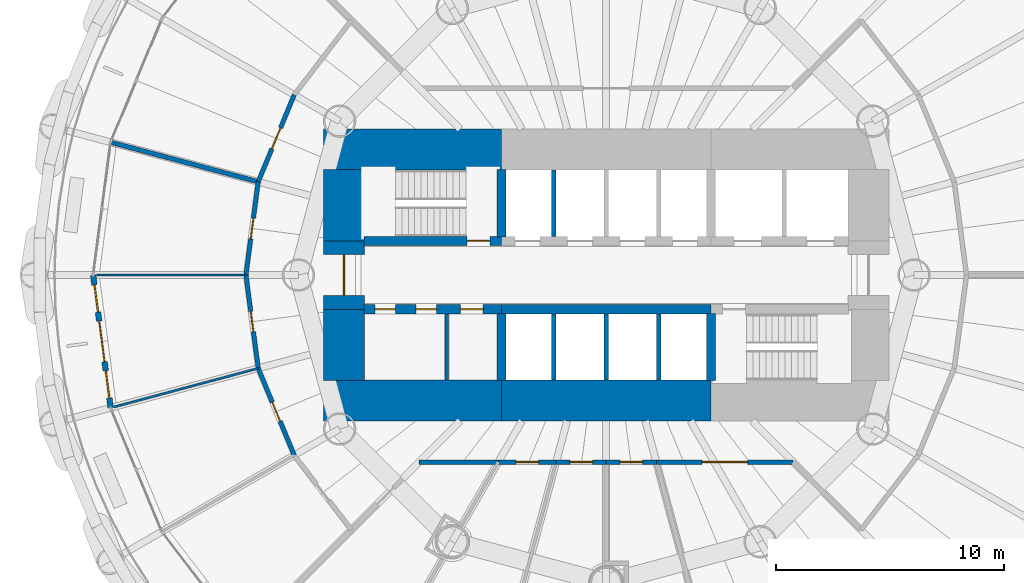
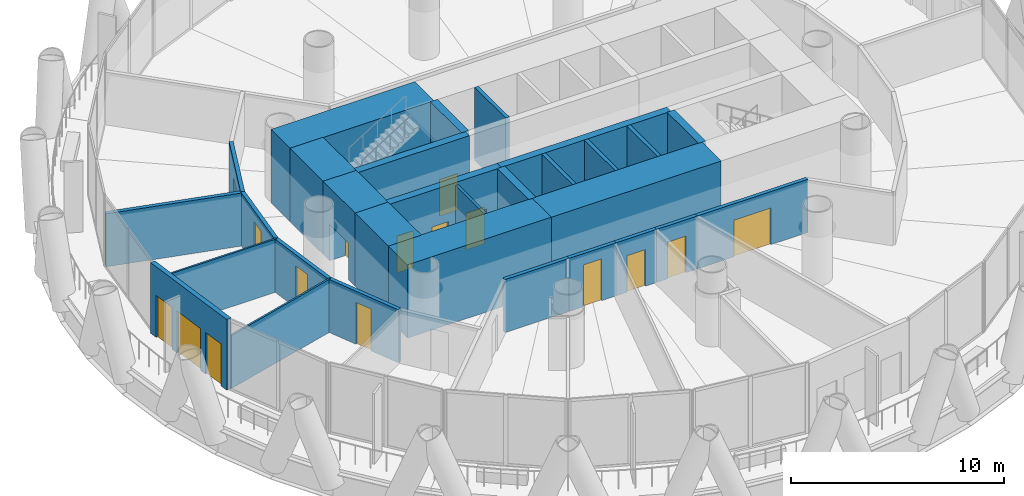
# One storey, part 10 of 16: 30 walls, 14 doors, 2 windows, 16 openings.
"""IFC4 building model written with IfcOpenShell, lengths in metres."""

from ifc_helpers import new_model, si_unit, direction, frame, frame_2d, origin, place, context, subcontext, project, spatial, rectangle, extrude, material, layer, layer_set, type_object, element, fill, save


model = new_model("IFC4")

# Units and contexts
model_context = context("Model", 3, precision=1e-05, world=origin(), true_north=direction((0.0, 1.0)))
body_context = subcontext(model_context, "Body", "Model", "MODEL_VIEW")
ifc_project = project(units=[si_unit("LENGTHUNIT", "METRE"), si_unit("AREAUNIT", "SQUARE_METRE"), si_unit("VOLUMEUNIT", "CUBIC_METRE"), si_unit("PLANEANGLEUNIT", "RADIAN"), si_unit("MASSUNIT", "GRAM", prefix="KILO")], contexts=[model_context])

# Site, building, storey
site_placement = place(None, origin())
site = spatial("IfcSite", under=ifc_project, at=site_placement, CompositionType="ELEMENT")
building_placement = place(site_placement, origin())
building = spatial("IfcBuilding", under=site, at=building_placement, Name="Qaws Media Tower", CompositionType="ELEMENT")
storey_placement = place(building_placement, frame((0.0, 0.0, 55.39990234375)))
storey = spatial("IfcBuildingStorey", under=building, at=storey_placement, Name="L11", CompositionType="ELEMENT", Elevation=55.39990234375)

# Wall, openings, door, windows
ifc_material_1 = material(Name="Precast concrete, exposed finish", Category="concrete")
ifc_layer_1 = layer(ifc_material_1, 0.25)
ifc_layer_set_1 = layer_set([ifc_layer_1], Name="Balcony door wall 250")
wall_type_1 = type_object("IfcWallType", Name="Balcony door wall 250", PredefinedType="SOLIDWALL", material=ifc_layer_set_1)
wall_1_placement = place(storey_placement, frame((37.5, 50.0, 0.0), z_axis=(0.0, 0.0, 1.0), x_axis=(0.13051364818, -0.991446512747, 0.0)))
wall_1 = element("IfcWall", 1, at=wall_1_placement, inside=storey, type_object=wall_type_1, Name="W133 EW1 balcony door wall L11-13", PredefinedType="SOLIDWALL", context=body_context, shape_type="SweptSolid", body=[
    extrude(rectangle(XDim=5.873779296875, YDim=0.25, at=frame_2d((2.93701171875, 0.0))), origin(), (0.0, 0.0, 1.0), 4.0400390625),
])
opening_1_placement = place(wall_1_placement, frame((2.036865234375, 0.0, 0.0)))
opening_1 = element("IfcOpeningElement", 2, at=opening_1_placement, cuts=wall_1, Name="Opening D7", PredefinedType="OPENING", context=body_context, shape_type="SweptSolid", body=[
    extrude(rectangle(XDim=1.800048828125, YDim=2.39990234375, at=frame_2d((0.89990234375, 1.199951171875))), frame((0.0, 0.135009765625, 0.0), z_axis=(0.0, -1.0, 0.0), x_axis=(1.0, 0.0, 0.0)), (0.0, 0.0, 1.0), 0.27001953125),
])
opening_2_placement = place(wall_1_placement, frame((0.436767578125, 0.0, 0.0)))
opening_2 = element("IfcOpeningElement", 3, at=opening_2_placement, cuts=wall_1, Name="Opening W1", PredefinedType="OPENING", context=body_context, shape_type="SweptSolid", body=[
    extrude(rectangle(XDim=1.199951171875, YDim=2.39990234375, at=frame_2d((0.60009765625, 1.199951171875))), frame((0.0, 0.135009765625, 0.0), z_axis=(0.0, -1.0, 0.0), x_axis=(1.0, 0.0, 0.0)), (0.0, 0.0, 1.0), 0.27001953125),
])
opening_3_placement = place(wall_1_placement, frame((4.23681640625, 0.0, 0.0)))
opening_3 = element("IfcOpeningElement", 4, at=opening_3_placement, cuts=wall_1, Name="Opening W1", PredefinedType="OPENING", context=body_context, shape_type="SweptSolid", body=[
    extrude(rectangle(XDim=1.199951171875, YDim=2.39990234375, at=frame_2d((0.60009765625, 1.199951171875))), frame((0.0, 0.135009765625, 0.0), z_axis=(0.0, -1.0, 0.0), x_axis=(1.0, 0.0, 0.0)), (0.0, 0.0, 1.0), 0.27001953125),
])
ifc_material_2 = material(Name="Aluminium and clear glass", Category="aluminium")
door_type_1 = type_object("IfcDoorType", Name="Balcony door pair 1800", OperationType="DOUBLE_DOOR_SLIDING", PredefinedType="DOOR", material=ifc_material_2)
door_1_placement = place(opening_1_placement, origin())
door_1 = element("IfcDoor", 5, at=door_1_placement, inside=storey, type_object=door_type_1, Name="D7 balcony door L11-13 in wall W133", OperationType="DOUBLE_DOOR_SLIDING", OverallHeight=2.39990234375, OverallWidth=1.800048828125, PredefinedType="DOOR", context=body_context, shape_type="SweptSolid", body=[
    extrude(rectangle(XDim=1.800048828125, YDim=2.39990234375, at=frame_2d((0.89990234375, 1.199951171875))), frame((0.0, 0.02490234375, 0.0), z_axis=(0.0, -1.0, 0.0), x_axis=(1.0, 0.0, 0.0)), (0.0, 0.0, 1.0), 0.050048828125),
])
fill(opening_1, door_1)
ifc_material_3 = material(Name="Aluminium and clear glass", Category="aluminium")
window_type = type_object("IfcWindowType", Name="Balcony side window 1200", PartitioningType="SINGLE_PANEL", PredefinedType="WINDOW", material=ifc_material_3)
window_1_placement = place(opening_2_placement, origin())
window_1 = element("IfcWindow", 6, at=window_1_placement, inside=storey, type_object=window_type, Name="W1 balcony side light L11-13L", OverallHeight=2.39990234375, OverallWidth=1.199951171875, PartitioningType="SINGLE_PANEL", PredefinedType="WINDOW", context=body_context, shape_type="SweptSolid", body=[
    extrude(rectangle(XDim=1.199951171875, YDim=2.39990234375, at=frame_2d((0.60009765625, 1.199951171875))), frame((0.0, 0.030029296875, 0.0), z_axis=(0.0, -1.0, 0.0), x_axis=(1.0, 0.0, 0.0)), (0.0, 0.0, 1.0), 0.06005859375),
])
fill(opening_2, window_1)
window_2_placement = place(opening_3_placement, origin())
window_2 = element("IfcWindow", 7, at=window_2_placement, inside=storey, type_object=window_type, Name="W1 balcony side light L11-13R", OverallHeight=2.39990234375, OverallWidth=1.199951171875, PartitioningType="SINGLE_PANEL", PredefinedType="WINDOW", context=body_context, shape_type="SweptSolid", body=[
    extrude(rectangle(XDim=1.199951171875, YDim=2.39990234375, at=frame_2d((0.60009765625, 1.199951171875))), frame((0.0, 0.030029296875, 0.0), z_axis=(0.0, -1.0, 0.0), x_axis=(1.0, 0.0, 0.0)), (0.0, 0.0, 1.0), 0.06005859375),
])
fill(opening_3, window_2)

# Wall, opening, door
ifc_material_4 = material(Name="Concrete C60/75", Category="concrete")
ifc_layer_2 = layer(ifc_material_4, 0.39990234375)
ifc_layer_set_2 = layer_set([ifc_layer_2], Name="Core inner wall 400")
wall_type_2 = type_object("IfcWallType", Name="Core inner wall 400", PredefinedType="SHEAR", material=ifc_layer_set_2)
wall_2_placement = place(storey_placement, frame((49.3798828125, 51.5, 0.0), z_axis=(0.0, 0.0, 1.0), x_axis=(1.0, 0.0, 0.0)))
wall_2 = element("IfcWall", 8, at=wall_2_placement, inside=storey, type_object=wall_type_2, Name="W311 SW4 core wall SPNW L11", PredefinedType="SHEAR", context=body_context, shape_type="SweptSolid", body=[
    extrude(rectangle(XDim=6.02001953125, YDim=0.39990234375, at=frame_2d((3.010009765625, 0.0))), origin(), (0.0, 0.0, 1.0), 4.2001953125),
])
opening_4_placement = place(wall_2_placement, frame((4.52001953125, 0.0, 0.0)))
opening_4 = element("IfcOpeningElement", 9, at=opening_4_placement, cuts=wall_2, Name="Opening D1", PredefinedType="OPENING", context=body_context, shape_type="SweptSolid", body=[
    extrude(rectangle(XDim=1.0, YDim=2.10009765625, at=frame_2d((0.5, 1.050048828125))), frame((0.0, 0.2099609375, 0.0), z_axis=(0.0, -1.0, 0.0), x_axis=(1.0, 0.0, 0.0)), (0.0, 0.0, 1.0), 0.419921875),
])
ifc_material_5 = material(Name="Steel, fire rated", Category="steel")
door_type_2 = type_object("IfcDoorType", Name="Stair door 1000 FD120", OperationType="SINGLE_SWING_LEFT", PredefinedType="DOOR", material=ifc_material_5)
door_2_placement = place(opening_4_placement, origin())
door_2 = element("IfcDoor", 10, at=door_2_placement, inside=storey, type_object=door_type_2, Name="D1 stair S1 door L11 in wall W311", OperationType="SINGLE_SWING_LEFT", OverallHeight=2.10009765625, OverallWidth=1.0, PredefinedType="DOOR", context=body_context, shape_type="SweptSolid", body=[
    extrude(rectangle(XDim=1.0, YDim=2.10009765625, at=frame_2d((0.5, 1.050048828125))), frame((0.0, 0.02490234375, 0.0), z_axis=(0.0, -1.0, 0.0), x_axis=(1.0, 0.0, 0.0)), (0.0, 0.0, 1.0), 0.050048828125),
])
fill(opening_4, door_2)

# Wall, openings, doors
wall_3_placement = place(storey_placement, frame((49.3798828125, 48.5, 0.0), z_axis=(0.0, 0.0, 1.0), x_axis=(1.0, 0.0, 0.0)))
wall_3 = element("IfcWall", 11, at=wall_3_placement, inside=storey, type_object=wall_type_2, Name="W310 SW4 core wall SPSW L11", PredefinedType="SHEAR", context=body_context, shape_type="SweptSolid", body=[
    extrude(rectangle(XDim=6.02001953125, YDim=0.39990234375, at=frame_2d((3.010009765625, 0.0))), origin(), (0.0, 0.0, 1.0), 4.2001953125),
])
opening_5_placement = place(wall_3_placement, frame((0.469970703125, 0.0, 0.0)))
opening_5 = element("IfcOpeningElement", 12, at=opening_5_placement, cuts=wall_3, Name="Opening D25", PredefinedType="OPENING", context=body_context, shape_type="SweptSolid", body=[
    extrude(rectangle(XDim=0.89990234375, YDim=2.10009765625, at=frame_2d((0.449951171875, 1.050048828125))), frame((0.0, 0.2099609375, 0.0), z_axis=(0.0, -1.0, 0.0), x_axis=(1.0, 0.0, 0.0)), (0.0, 0.0, 1.0), 0.419921875),
])
opening_6_placement = place(wall_3_placement, frame((2.27001953125, 0.0, 0.0)))
opening_6 = element("IfcOpeningElement", 13, at=opening_6_placement, cuts=wall_3, Name="Opening D25", PredefinedType="OPENING", context=body_context, shape_type="SweptSolid", body=[
    extrude(rectangle(XDim=0.89990234375, YDim=2.10009765625, at=frame_2d((0.449951171875, 1.050048828125))), frame((0.0, 0.2099609375, 0.0), z_axis=(0.0, -1.0, 0.0), x_axis=(1.0, 0.0, 0.0)), (0.0, 0.0, 1.0), 0.419921875),
])
opening_7_placement = place(wall_3_placement, frame((4.219970703125, 0.0, 0.0)))
opening_7 = element("IfcOpeningElement", 14, at=opening_7_placement, cuts=wall_3, Name="Opening D4", PredefinedType="OPENING", context=body_context, shape_type="SweptSolid", body=[
    extrude(rectangle(XDim=1.0, YDim=2.10009765625, at=frame_2d((0.5, 1.050048828125))), frame((0.0, 0.2099609375, 0.0), z_axis=(0.0, -1.0, 0.0), x_axis=(1.0, 0.0, 0.0)), (0.0, 0.0, 1.0), 0.419921875),
])
ifc_material_6 = material(Name="Timber veneered", Category="wood")
door_type_3 = type_object("IfcDoorType", Name="Accessible WC door 1000", OperationType="SLIDING_TO_LEFT", PredefinedType="DOOR", material=ifc_material_6)
door_3_placement = place(opening_7_placement, origin())
door_3 = element("IfcDoor", 15, at=door_3_placement, inside=storey, type_object=door_type_3, Name="D4 toilet door 3 L11 in wall W310", OperationType="SLIDING_TO_LEFT", OverallHeight=2.10009765625, OverallWidth=1.0, PredefinedType="DOOR", context=body_context, shape_type="SweptSolid", body=[
    extrude(rectangle(XDim=1.0, YDim=2.10009765625, at=frame_2d((0.5, 1.050048828125))), frame((0.0, 0.02490234375, 0.0), z_axis=(0.0, -1.0, 0.0), x_axis=(1.0, 0.0, 0.0)), (0.0, 0.0, 1.0), 0.050048828125),
])
fill(opening_7, door_3)
ifc_material_7 = material(Name="Steel, fire rated", Category="steel")
door_type_4 = type_object("IfcDoorType", Name="Core service door 900", OperationType="SINGLE_SWING_RIGHT", PredefinedType="DOOR", material=ifc_material_7)
door_4_placement = place(opening_5_placement, origin())
door_4 = element("IfcDoor", 16, at=door_4_placement, inside=storey, type_object=door_type_4, Name="D25 toilet door 1 L11 in wall W310", OperationType="SINGLE_SWING_RIGHT", OverallHeight=2.10009765625, OverallWidth=0.89990234375, PredefinedType="DOOR", context=body_context, shape_type="SweptSolid", body=[
    extrude(rectangle(XDim=0.89990234375, YDim=2.10009765625, at=frame_2d((0.449951171875, 1.050048828125))), frame((0.0, 0.02490234375, 0.0), z_axis=(0.0, -1.0, 0.0), x_axis=(1.0, 0.0, 0.0)), (0.0, 0.0, 1.0), 0.050048828125),
])
fill(opening_5, door_4)
door_5_placement = place(opening_6_placement, origin())
door_5 = element("IfcDoor", 17, at=door_5_placement, inside=storey, type_object=door_type_4, Name="D25 toilet door 2 L11 in wall W310", OperationType="SINGLE_SWING_RIGHT", OverallHeight=2.10009765625, OverallWidth=0.89990234375, PredefinedType="DOOR", context=body_context, shape_type="SweptSolid", body=[
    extrude(rectangle(XDim=0.89990234375, YDim=2.10009765625, at=frame_2d((0.449951171875, 1.050048828125))), frame((0.0, 0.02490234375, 0.0), z_axis=(0.0, -1.0, 0.0), x_axis=(1.0, 0.0, 0.0)), (0.0, 0.0, 1.0), 0.050048828125),
])
fill(opening_6, door_5)

# Walls
wall_4_placement = place(storey_placement, frame((55.39990234375, 48.5, 0.0), z_axis=(0.0, 0.0, 1.0), x_axis=(1.0, 0.0, 0.0)))
element("IfcWall", 18, at=wall_4_placement, inside=storey, type_object=wall_type_2, Name="W313 SW4 core wall SPS L11", PredefinedType="SHEAR", context=body_context, shape_type="SweptSolid", body=[
    extrude(rectangle(XDim=9.2001953125, YDim=0.39990234375, at=frame_2d((4.60009765625, 0.0))), origin(), (0.0, 0.0, 1.0), 4.2001953125),
])
for number, where, z_axis, x_axis, name in (
    (19, (55.39990234375, 51.679931640625, 0.0), (0.0, 0.0, 1.0), (0.0, 1.0, 0.0), "W315 SW4 core wall XNW L11"),
    (20, (55.39990234375, 48.320068359375, 0.0), (0.0, 0.0, 1.0), (0.0, -1.0, 0.0), "W312 SW4 core wall XSW L11"),
    (21, (64.60009765625, 48.320068359375, 0.0), (0.0, 0.0, 1.0), (0.0, -1.0, 0.0), "W316 SW4 core wall XSE L11"),
):
    element("IfcWall", number, at=place(storey_placement, frame(where, z_axis=z_axis, x_axis=x_axis)), inside=storey, type_object=wall_type_2, Name=name, PredefinedType="SHEAR", context=body_context, shape_type="SweptSolid", body=[
        extrude(rectangle(XDim=2.940185546875, YDim=0.39990234375, at=frame_2d((1.47021484375, 0.0))), origin(), (0.0, 0.0, 1.0), 4.2001953125),
    ])
ifc_material_8 = material(Name="Concrete C60/75", Category="concrete")
ifc_layer_3 = layer(ifc_material_8, 1.800048828125)
ifc_layer_set_3 = layer_set([ifc_layer_3], Name="Core wall 1800")
wall_type_3 = type_object("IfcWallType", Name="Core wall 1800", PredefinedType="SHEAR", material=ifc_layer_set_3)
for number, where, z_axis, x_axis, name in (
    (22, (47.60009765625, 55.5, 0.0), (0.0, 0.0, 1.0), (1.0, 0.0, 0.0), "W399 SW11 core wall NW L11"),
    (23, (47.60009765625, 44.5, 0.0), (0.0, 0.0, 1.0), (1.0, 0.0, 0.0), "W398 SW11 core wall SW L11"),
):
    element("IfcWall", number, at=place(storey_placement, frame(where, z_axis=z_axis, x_axis=x_axis)), inside=storey, type_object=wall_type_3, Name=name, PredefinedType="SHEAR", context=body_context, shape_type="SweptSolid", body=[
        extrude(rectangle(XDim=7.7998046875, YDim=1.800048828125, at=frame_2d((3.89990234375, 0.0))), origin(), (0.0, 0.0, 1.0), 4.2001953125),
    ])
wall_5_placement = place(storey_placement, frame((55.39990234375, 44.5, 0.0), z_axis=(0.0, 0.0, 1.0), x_axis=(1.0, 0.0, 0.0)))
element("IfcWall", 24, at=wall_5_placement, inside=storey, type_object=wall_type_3, Name="W403 SW11 core wall S L11", PredefinedType="SHEAR", context=body_context, shape_type="SweptSolid", body=[
    extrude(rectangle(XDim=9.2001953125, YDim=1.800048828125, at=frame_2d((4.60009765625, 0.0))), origin(), (0.0, 0.0, 1.0), 4.2001953125),
])
wall_6_placement = place(storey_placement, frame((48.5, 45.3798828125, 0.0), z_axis=(0.0, 0.0, 1.0), x_axis=(0.0, 1.0, 0.0)))
element("IfcWall", 25, at=wall_6_placement, inside=storey, type_object=wall_type_3, Name="W400 SW11 core wall WS L11", PredefinedType="SHEAR", context=body_context, shape_type="SweptSolid", body=[
    extrude(rectangle(XDim=3.1201171875, YDim=1.800048828125, at=frame_2d((1.56005859375, 0.0))), origin(), (0.0, 0.0, 1.0), 4.2001953125),
])

# Wall, opening, door
wall_7_placement = place(storey_placement, frame((48.5, 48.5, 0.0), z_axis=(0.0, 0.0, 1.0), x_axis=(0.0, 1.0, 0.0)))
wall_7 = element("IfcWall", 26, at=wall_7_placement, inside=storey, type_object=wall_type_3, Name="W401 SW11 core wall W L11", PredefinedType="SHEAR", context=body_context, shape_type="SweptSolid", body=[
    extrude(rectangle(XDim=3.0, YDim=1.800048828125, at=frame_2d((1.5, 0.0))), origin(), (0.0, 0.0, 1.0), 4.2001953125),
])
opening_8_placement = place(wall_7_placement, frame((0.60009765625, 0.0, 0.0)))
opening_8 = element("IfcOpeningElement", 27, at=opening_8_placement, cuts=wall_7, Name="Opening D2", PredefinedType="OPENING", context=body_context, shape_type="SweptSolid", body=[
    extrude(rectangle(XDim=1.800048828125, YDim=2.10009765625, at=frame_2d((0.89990234375, 1.050048828125))), frame((0.0, 0.909912109375, 0.0), z_axis=(0.0, -1.0, 0.0), x_axis=(1.0, 0.0, 0.0)), (0.0, 0.0, 1.0), 1.820068359375),
])
ifc_material_9 = material(Name="Steel and glass, fire rated", Category="steel")
door_type_5 = type_object("IfcDoorType", Name="Lobby door pair 1800 FD60", OperationType="DOUBLE_DOOR_DOUBLE_SWING", PredefinedType="DOOR", material=ifc_material_9)
door_6_placement = place(opening_8_placement, origin())
door_6 = element("IfcDoor", 28, at=door_6_placement, inside=storey, type_object=door_type_5, Name="D2 core lobby door W L11 in wall W401", OperationType="DOUBLE_DOOR_DOUBLE_SWING", OverallHeight=2.10009765625, OverallWidth=1.800048828125, PredefinedType="DOOR", context=body_context, shape_type="SweptSolid", body=[
    extrude(rectangle(XDim=1.800048828125, YDim=2.10009765625, at=frame_2d((0.89990234375, 1.050048828125))), frame((0.0, 0.02490234375, 0.0), z_axis=(0.0, -1.0, 0.0), x_axis=(1.0, 0.0, 0.0)), (0.0, 0.0, 1.0), 0.050048828125),
])
fill(opening_8, door_6)

# Walls
wall_8_placement = place(storey_placement, frame((48.5, 51.5, 0.0), z_axis=(0.0, 0.0, 1.0), x_axis=(0.0, 1.0, 0.0)))
element("IfcWall", 29, at=wall_8_placement, inside=storey, type_object=wall_type_3, Name="W402 SW11 core wall WN L11", PredefinedType="SHEAR", context=body_context, shape_type="SweptSolid", body=[
    extrude(rectangle(XDim=3.1201171875, YDim=1.800048828125, at=frame_2d((1.56005859375, 0.0))), origin(), (0.0, 0.0, 1.0), 4.2001953125),
])
ifc_material_10 = material(Name="Gypsum board on 70 metal studs, single layer each side", Category="gypsum")
ifc_layer_4 = layer(ifc_material_10, 0.10009765625)
ifc_layer_set_4 = layer_set([ifc_layer_4], Name="Office stud partition 100")
wall_type_4 = type_object("IfcWallType", Name="Office stud partition 100", PredefinedType="PARTITIONING", material=ifc_layer_set_4)
wall_9_placement = place(storey_placement, frame((44.199951171875, 50.0, 0.0), z_axis=(0.0, 0.0, 1.0), x_axis=(-1.0, 0.0, 0.0)))
element("IfcWall", 30, at=wall_9_placement, inside=storey, type_object=wall_type_4, Name="W637 IW4 partition L11", PredefinedType="PARTITIONING", context=body_context, shape_type="SweptSolid", body=[
    extrude(rectangle(XDim=6.56005859375, YDim=0.10009765625, at=frame_2d((3.280029296875, 0.0))), origin(), (0.0, 0.0, 1.0), 3.0400390625),
])
wall_10_placement = place(storey_placement, frame((44.73828125, 45.91064453125, 0.0), z_axis=(0.0, 0.0, 1.0), x_axis=(-0.965929113775, -0.258806775726, 0.0)))
element("IfcWall", 31, at=wall_10_placement, inside=storey, type_object=wall_type_4, Name="W638 IW4 partition L11", PredefinedType="PARTITIONING", context=body_context, shape_type="SweptSolid", body=[
    extrude(rectangle(XDim=6.559814453125, YDim=0.10009765625, at=frame_2d((3.27978515625, 0.0))), origin(), (0.0, 0.0, 1.0), 3.0400390625),
])

# Wall, opening, door
ifc_material_11 = material(Name="Gypsum board on galvanised metal studs, acoustic double stud, deflection head", Category="gypsum")
ifc_layer_5 = layer(ifc_material_11, 0.199951171875)
ifc_layer_set_5 = layer_set([ifc_layer_5], Name="Room partition 200")
wall_type_5 = type_object("IfcWallType", Name="Room partition 200", PredefinedType="PARTITIONING", material=ifc_layer_set_5)
wall_11_placement = place(storey_placement, frame((46.31689453125, 42.10009765625, 0.0), z_axis=(0.0, 0.0, 1.0), x_axis=(-0.382731667114, 0.923859551549, 0.0)))
wall_11 = element("IfcWall", 32, at=wall_11_placement, inside=storey, type_object=wall_type_5, Name="W946 IW3 partition L11", PredefinedType="PARTITIONING", context=body_context, shape_type="SweptSolid", body=[
    extrude(rectangle(XDim=4.12451171875, YDim=0.199951171875, at=frame_2d((2.062255859375, 0.0))), origin(), (0.0, 0.0, 1.0), 3.0400390625),
])
opening_9_placement = place(wall_11_placement, frame((1.6123046875, 0.0, 0.0)))
opening_9 = element("IfcOpeningElement", 33, at=opening_9_placement, cuts=wall_11, Name="Opening D12", PredefinedType="OPENING", context=body_context, shape_type="SweptSolid", body=[
    extrude(rectangle(XDim=0.89990234375, YDim=2.39990234375, at=frame_2d((0.449951171875, 1.199951171875))), frame((0.0, 0.10986328125, 0.0), z_axis=(0.0, -1.0, 0.0), x_axis=(1.0, 0.0, 0.0)), (0.0, 0.0, 1.0), 0.219970703125),
])
ifc_material_12 = material(Name="Timber veneered, full height", Category="wood")
door_type_6 = type_object("IfcDoorType", Name="Office door 900x2400", OperationType="SINGLE_SWING_LEFT", PredefinedType="DOOR", material=ifc_material_12)
door_7_placement = place(opening_9_placement, origin())
door_7 = element("IfcDoor", 34, at=door_7_placement, inside=storey, type_object=door_type_6, Name="D12 Editor's office door L11 in wall W946", OperationType="SINGLE_SWING_LEFT", OverallHeight=2.39990234375, OverallWidth=0.89990234375, PredefinedType="DOOR", context=body_context, shape_type="SweptSolid", body=[
    extrude(rectangle(XDim=0.89990234375, YDim=2.39990234375, at=frame_2d((0.449951171875, 1.199951171875))), frame((0.0, 0.02490234375, 0.0), z_axis=(0.0, -1.0, 0.0), x_axis=(1.0, 0.0, 0.0)), (0.0, 0.0, 1.0), 0.050048828125),
])
fill(opening_9, door_7)

wall_12_placement = place(storey_placement, frame((44.73828125, 45.91064453125, 0.0), z_axis=(0.0, 0.0, 1.0), x_axis=(-0.130515758099, 0.991446234996, 0.0)))
wall_12 = element("IfcWall", 35, at=wall_12_placement, inside=storey, type_object=wall_type_5, Name="W943 IW3 partition L11", PredefinedType="PARTITIONING", context=body_context, shape_type="SweptSolid", body=[
    extrude(rectangle(XDim=4.124755859375, YDim=0.199951171875, at=frame_2d((2.0625, 0.0))), origin(), (0.0, 0.0, 1.0), 3.0400390625),
])
opening_10_placement = place(wall_12_placement, frame((1.6123046875, 0.0, 0.0)))
opening_10 = element("IfcOpeningElement", 36, at=opening_10_placement, cuts=wall_12, Name="Opening D12", PredefinedType="OPENING", context=body_context, shape_type="SweptSolid", body=[
    extrude(rectangle(XDim=0.89990234375, YDim=2.39990234375, at=frame_2d((0.449951171875, 1.199951171875))), frame((0.0, 0.10986328125, 0.0), z_axis=(0.0, -1.0, 0.0), x_axis=(1.0, 0.0, 0.0)), (0.0, 0.0, 1.0), 0.219970703125),
])
door_8_placement = place(opening_10_placement, origin())
door_8 = element("IfcDoor", 37, at=door_8_placement, inside=storey, type_object=door_type_6, Name="D12 Editor's office door L11 in wall W943", OperationType="SINGLE_SWING_LEFT", OverallHeight=2.39990234375, OverallWidth=0.89990234375, PredefinedType="DOOR", context=body_context, shape_type="SweptSolid", body=[
    extrude(rectangle(XDim=0.89990234375, YDim=2.39990234375, at=frame_2d((0.449951171875, 1.199951171875))), frame((0.0, 0.02490234375, 0.0), z_axis=(0.0, -1.0, 0.0), x_axis=(1.0, 0.0, 0.0)), (0.0, 0.0, 1.0), 0.050048828125),
])
fill(opening_10, door_8)

wall_13_placement = place(storey_placement, frame((44.199951171875, 50.0, 0.0), z_axis=(0.0, 0.0, 1.0), x_axis=(0.130515758099, 0.991446234996, 0.0)))
wall_13 = element("IfcWall", 38, at=wall_13_placement, inside=storey, type_object=wall_type_5, Name="W941 IW3 partition L11", PredefinedType="PARTITIONING", context=body_context, shape_type="SweptSolid", body=[
    extrude(rectangle(XDim=4.124755859375, YDim=0.199951171875, at=frame_2d((2.0625, 0.0))), origin(), (0.0, 0.0, 1.0), 3.0400390625),
])
opening_11_placement = place(wall_13_placement, frame((1.6123046875, 0.0, 0.0)))
opening_11 = element("IfcOpeningElement", 39, at=opening_11_placement, cuts=wall_13, Name="Opening D12", PredefinedType="OPENING", context=body_context, shape_type="SweptSolid", body=[
    extrude(rectangle(XDim=0.89990234375, YDim=2.39990234375, at=frame_2d((0.449951171875, 1.199951171875))), frame((0.0, 0.10986328125, 0.0), z_axis=(0.0, -1.0, 0.0), x_axis=(1.0, 0.0, 0.0)), (0.0, 0.0, 1.0), 0.219970703125),
])
door_9_placement = place(opening_11_placement, origin())
door_9 = element("IfcDoor", 40, at=door_9_placement, inside=storey, type_object=door_type_6, Name="D12 Editor's office door L11 in wall W941", OperationType="SINGLE_SWING_LEFT", OverallHeight=2.39990234375, OverallWidth=0.89990234375, PredefinedType="DOOR", context=body_context, shape_type="SweptSolid", body=[
    extrude(rectangle(XDim=0.89990234375, YDim=2.39990234375, at=frame_2d((0.449951171875, 1.199951171875))), frame((0.0, 0.02490234375, 0.0), z_axis=(0.0, -1.0, 0.0), x_axis=(1.0, 0.0, 0.0)), (0.0, 0.0, 1.0), 0.050048828125),
])
fill(opening_11, door_9)

wall_14_placement = place(storey_placement, frame((44.73828125, 54.08935546875, 0.0), z_axis=(0.0, 0.0, 1.0), x_axis=(0.382731667114, 0.923859551549, 0.0)))
wall_14 = element("IfcWall", 41, at=wall_14_placement, inside=storey, type_object=wall_type_5, Name="W944 IW3 partition L11", PredefinedType="PARTITIONING", context=body_context, shape_type="SweptSolid", body=[
    extrude(rectangle(XDim=4.12451171875, YDim=0.199951171875, at=frame_2d((2.062255859375, 0.0))), origin(), (0.0, 0.0, 1.0), 3.0400390625),
])
opening_12_placement = place(wall_14_placement, frame((1.562255859375, 0.0, 0.0)))
opening_12 = element("IfcOpeningElement", 42, at=opening_12_placement, cuts=wall_14, Name="Opening D5", PredefinedType="OPENING", context=body_context, shape_type="SweptSolid", body=[
    extrude(rectangle(XDim=1.0, YDim=2.10009765625, at=frame_2d((0.5, 1.050048828125))), frame((0.0, 0.10986328125, 0.0), z_axis=(0.0, -1.0, 0.0), x_axis=(1.0, 0.0, 0.0)), (0.0, 0.0, 1.0), 0.219970703125),
])
ifc_material_13 = material(Name="Timber veneered, acoustic seal", Category="wood")
door_type_7 = type_object("IfcDoorType", Name="Room door 1000", OperationType="SINGLE_SWING_LEFT", PredefinedType="DOOR", material=ifc_material_13)
door_10_placement = place(opening_12_placement, origin())
door_10 = element("IfcDoor", 43, at=door_10_placement, inside=storey, type_object=door_type_7, Name="D5 News meeting room door L11 in wall W944", OperationType="SINGLE_SWING_LEFT", OverallHeight=2.10009765625, OverallWidth=1.0, PredefinedType="DOOR", context=body_context, shape_type="SweptSolid", body=[
    extrude(rectangle(XDim=1.0, YDim=2.10009765625, at=frame_2d((0.5, 1.050048828125))), frame((0.0, 0.02490234375, 0.0), z_axis=(0.0, -1.0, 0.0), x_axis=(1.0, 0.0, 0.0)), (0.0, 0.0, 1.0), 0.050048828125),
])
fill(opening_12, door_10)

wall_15_placement = place(storey_placement, frame((68.199951171875, 41.800048828125, 0.0), z_axis=(0.0, 0.0, 1.0), x_axis=(-1.0, 0.0, 0.0)))
wall_15 = element("IfcWall", 44, at=wall_15_placement, inside=storey, type_object=wall_type_5, Name="W1052 IW3 partition L11", PredefinedType="PARTITIONING", context=body_context, shape_type="SweptSolid", body=[
    extrude(rectangle(XDim=6.002685546875, YDim=0.199951171875, at=frame_2d((3.00146484375, 0.0))), origin(), (0.0, 0.0, 1.0), 3.0400390625),
])
opening_13_placement = place(wall_15_placement, frame((2.00146484375, 0.0, 0.0)))
opening_13 = element("IfcOpeningElement", 45, at=opening_13_placement, cuts=wall_15, Name="Opening D6", PredefinedType="OPENING", context=body_context, shape_type="SweptSolid", body=[
    extrude(rectangle(XDim=2.0, YDim=2.10009765625, at=frame_2d((1.0, 1.050048828125))), frame((0.0, 0.10986328125, 0.0), z_axis=(0.0, -1.0, 0.0), x_axis=(1.0, 0.0, 0.0)), (0.0, 0.0, 1.0), 0.219970703125),
])
ifc_material_14 = material(Name="Steel, acoustic, fire rated", Category="steel")
door_type_8 = type_object("IfcDoorType", Name="Room door pair 2000", OperationType="DOUBLE_DOOR_DOUBLE_SWING", PredefinedType="DOOR", material=ifc_material_14)
door_11_placement = place(opening_13_placement, origin())
door_11 = element("IfcDoor", 46, at=door_11_placement, inside=storey, type_object=door_type_8, Name="D6 Newsroom door L11 in wall W1052", OperationType="DOUBLE_DOOR_DOUBLE_SWING", OverallHeight=2.10009765625, OverallWidth=2.0, PredefinedType="DOOR", context=body_context, shape_type="SweptSolid", body=[
    extrude(rectangle(XDim=2.0, YDim=2.10009765625, at=frame_2d((1.0, 1.050048828125))), frame((0.0, 0.02490234375, 0.0), z_axis=(0.0, -1.0, 0.0), x_axis=(1.0, 0.0, 0.0)), (0.0, 0.0, 1.0), 0.050048828125),
])
fill(opening_13, door_11)

wall_16_placement = place(storey_placement, frame((62.197265625, 41.800048828125, 0.0), z_axis=(0.0, 0.0, 1.0), x_axis=(-1.0, 0.0, 0.0)))
wall_16 = element("IfcWall", 47, at=wall_16_placement, inside=storey, type_object=wall_type_5, Name="W1051 IW3 partition L11", PredefinedType="PARTITIONING", context=body_context, shape_type="SweptSolid", body=[
    extrude(rectangle(XDim=2.197265625, YDim=0.199951171875, at=frame_2d((1.0986328125, 0.0))), origin(), (0.0, 0.0, 1.0), 3.0400390625),
])
opening_14_placement = place(wall_16_placement, frame((0.5986328125, 0.0, 0.0)))
opening_14 = element("IfcOpeningElement", 48, at=opening_14_placement, cuts=wall_16, Name="Opening D5", PredefinedType="OPENING", context=body_context, shape_type="SweptSolid", body=[
    extrude(rectangle(XDim=1.0, YDim=2.10009765625, at=frame_2d((0.5, 1.050048828125))), frame((0.0, 0.10986328125, 0.0), z_axis=(0.0, -1.0, 0.0), x_axis=(1.0, 0.0, 0.0)), (0.0, 0.0, 1.0), 0.219970703125),
])
door_12_placement = place(opening_14_placement, origin())
door_12 = element("IfcDoor", 49, at=door_12_placement, inside=storey, type_object=door_type_7, Name="D5 Ladies toilets door L11 in wall W1051", OperationType="SINGLE_SWING_LEFT", OverallHeight=2.10009765625, OverallWidth=1.0, PredefinedType="DOOR", context=body_context, shape_type="SweptSolid", body=[
    extrude(rectangle(XDim=1.0, YDim=2.10009765625, at=frame_2d((0.5, 1.050048828125))), frame((0.0, 0.02490234375, 0.0), z_axis=(0.0, -1.0, 0.0), x_axis=(1.0, 0.0, 0.0)), (0.0, 0.0, 1.0), 0.050048828125),
])
fill(opening_14, door_12)

wall_17_placement = place(storey_placement, frame((60.0, 41.800048828125, 0.0), z_axis=(0.0, 0.0, 1.0), x_axis=(-1.0, 0.0, 0.0)))
wall_17 = element("IfcWall", 50, at=wall_17_placement, inside=storey, type_object=wall_type_5, Name="W972 IW3 partition L11", PredefinedType="PARTITIONING", context=body_context, shape_type="SweptSolid", body=[
    extrude(rectangle(XDim=2.197265625, YDim=0.199951171875, at=frame_2d((1.0986328125, 0.0))), origin(), (0.0, 0.0, 1.0), 3.0400390625),
])
opening_15_placement = place(wall_17_placement, frame((0.5986328125, 0.0, 0.0)))
opening_15 = element("IfcOpeningElement", 51, at=opening_15_placement, cuts=wall_17, Name="Opening D5", PredefinedType="OPENING", context=body_context, shape_type="SweptSolid", body=[
    extrude(rectangle(XDim=1.0, YDim=2.10009765625, at=frame_2d((0.5, 1.050048828125))), frame((0.0, 0.10986328125, 0.0), z_axis=(0.0, -1.0, 0.0), x_axis=(1.0, 0.0, 0.0)), (0.0, 0.0, 1.0), 0.219970703125),
])
door_13_placement = place(opening_15_placement, origin())
door_13 = element("IfcDoor", 52, at=door_13_placement, inside=storey, type_object=door_type_7, Name="D5 Gents toilets door L11 in wall W972", OperationType="SINGLE_SWING_LEFT", OverallHeight=2.10009765625, OverallWidth=1.0, PredefinedType="DOOR", context=body_context, shape_type="SweptSolid", body=[
    extrude(rectangle(XDim=1.0, YDim=2.10009765625, at=frame_2d((0.5, 1.050048828125))), frame((0.0, 0.02490234375, 0.0), z_axis=(0.0, -1.0, 0.0), x_axis=(1.0, 0.0, 0.0)), (0.0, 0.0, 1.0), 0.050048828125),
])
fill(opening_15, door_13)

wall_18_placement = place(storey_placement, frame((57.802734375, 41.800048828125, 0.0), z_axis=(0.0, 0.0, 1.0), x_axis=(-1.0, 0.0, 0.0)))
wall_18 = element("IfcWall", 53, at=wall_18_placement, inside=storey, type_object=wall_type_5, Name="W971 IW3 partition L11", PredefinedType="PARTITIONING", context=body_context, shape_type="SweptSolid", body=[
    extrude(rectangle(XDim=2.537109375, YDim=0.199951171875, at=frame_2d((1.2685546875, 0.0))), origin(), (0.0, 0.0, 1.0), 3.0400390625),
])
opening_16_placement = place(wall_18_placement, frame((0.7685546875, 0.0, 0.0)))
opening_16 = element("IfcOpeningElement", 54, at=opening_16_placement, cuts=wall_18, Name="Opening D13", PredefinedType="OPENING", context=body_context, shape_type="SweptSolid", body=[
    extrude(rectangle(XDim=1.0, YDim=2.39990234375, at=frame_2d((0.5, 1.199951171875))), frame((0.0, 0.10986328125, 0.0), z_axis=(0.0, -1.0, 0.0), x_axis=(1.0, 0.0, 0.0)), (0.0, 0.0, 1.0), 0.219970703125),
])
ifc_material_15 = material(Name="Frameless toughened glass, acoustic seals", Category="glass")
door_type_9 = type_object("IfcDoorType", Name="Glazed meeting room door 1000x2400", OperationType="SINGLE_SWING_LEFT", PredefinedType="DOOR", material=ifc_material_15)
door_14_placement = place(opening_16_placement, origin())
door_14 = element("IfcDoor", 55, at=door_14_placement, inside=storey, type_object=door_type_9, Name="D13 Quiet room door L11 in wall W971", OperationType="SINGLE_SWING_LEFT", OverallHeight=2.39990234375, OverallWidth=1.0, PredefinedType="DOOR", context=body_context, shape_type="SweptSolid", body=[
    extrude(rectangle(XDim=1.0, YDim=2.39990234375, at=frame_2d((0.5, 1.199951171875))), frame((0.0, 0.02490234375, 0.0), z_axis=(0.0, -1.0, 0.0), x_axis=(1.0, 0.0, 0.0)), (0.0, 0.0, 1.0), 0.050048828125),
])
fill(opening_16, door_14)

# Walls
wall_19_placement = place(storey_placement, frame((55.265625, 41.800048828125, 0.0), z_axis=(0.0, 0.0, 1.0), x_axis=(-1.0, 0.0, 0.0)))
element("IfcWall", 56, at=wall_19_placement, inside=storey, type_object=wall_type_5, Name="W968 IW3 partition L11", PredefinedType="PARTITIONING", context=body_context, shape_type="SweptSolid", body=[
    extrude(rectangle(XDim=3.465576171875, YDim=0.199951171875, at=frame_2d((1.73291015625, 0.0))), origin(), (0.0, 0.0, 1.0), 3.0400390625),
])
wall_20_placement = place(storey_placement, frame((44.73828125, 54.08935546875, 0.0), z_axis=(0.0, 0.0, 1.0), x_axis=(-0.965927597549, 0.258812434578, 0.0)))
element("IfcWall", 57, at=wall_20_placement, inside=storey, type_object=wall_type_5, Name="W1041 IW3 partition L11", PredefinedType="PARTITIONING", context=body_context, shape_type="SweptSolid", body=[
    extrude(rectangle(XDim=6.65966796875, YDim=0.199951171875, at=frame_2d((3.329833984375, 0.0))), origin(), (0.0, 0.0, 1.0), 3.0400390625),
])
ifc_material_16 = material(Name="Fire-rated gypsum board shaft wall on galvanised metal studs, deflection head", Category="gypsum")
ifc_layer_6 = layer(ifc_material_16, 0.199951171875)
ifc_layer_set_6 = layer_set([ifc_layer_6], Name="Shaft wall 200")
wall_type_6 = type_object("IfcWallType", Name="Shaft wall 200", PredefinedType="PARTITIONING", material=ifc_layer_set_6)
for number, where, z_axis, x_axis, name in (
    (58, (57.699951171875, 51.699951171875, 0.0), (0.0, 0.0, 1.0), (0.0, 1.0, 0.0), "W1842 IW1 shaft wall N1 L11"),
    (59, (57.699951171875, 45.39990234375, 0.0), (0.0, 0.0, 1.0), (0.0, 1.0, 0.0), "W1835 IW1 shaft wall S1 L11"),
    (60, (60.0, 45.39990234375, 0.0), (0.0, 0.0, 1.0), (0.0, 1.0, 0.0), "W1837 IW1 shaft wall S2 L11"),
    (61, (62.300048828125, 45.39990234375, 0.0), (0.0, 0.0, 1.0), (0.0, 1.0, 0.0), "W1839 IW1 shaft wall S3 L11"),
):
    element("IfcWall", number, at=place(storey_placement, frame(where, z_axis=z_axis, x_axis=x_axis)), inside=storey, type_object=wall_type_6, Name=name, PredefinedType="PARTITIONING", context=body_context, shape_type="SweptSolid", body=[
        extrude(rectangle(XDim=2.900146484375, YDim=0.199951171875, at=frame_2d((1.4501953125, 0.0))), origin(), (0.0, 0.0, 1.0), 4.2001953125),
    ])
ifc_material_17 = material(Name="Gypsum board on galvanised metal studs, deflection head", Category="gypsum")
ifc_layer_7 = layer(ifc_material_17, 0.14990234375)
ifc_layer_set_7 = layer_set([ifc_layer_7], Name="WC partition 150")
wall_type_7 = type_object("IfcWallType", Name="WC partition 150", PredefinedType="PARTITIONING", material=ifc_layer_set_7)
wall_21_placement = place(storey_placement, frame((53.0, 45.39990234375, 0.0), z_axis=(0.0, 0.0, 1.0), x_axis=(0.0, 1.0, 0.0)))
element("IfcWall", 62, at=wall_21_placement, inside=storey, type_object=wall_type_7, Name="W1906 IW2 toilet partition 1 L11", PredefinedType="PARTITIONING", context=body_context, shape_type="SweptSolid", body=[
    extrude(rectangle(XDim=2.900146484375, YDim=0.14990234375, at=frame_2d((1.4501953125, 0.0))), origin(), (0.0, 0.0, 1.0), 4.0400390625),
])

save(model, "model.ifc")
